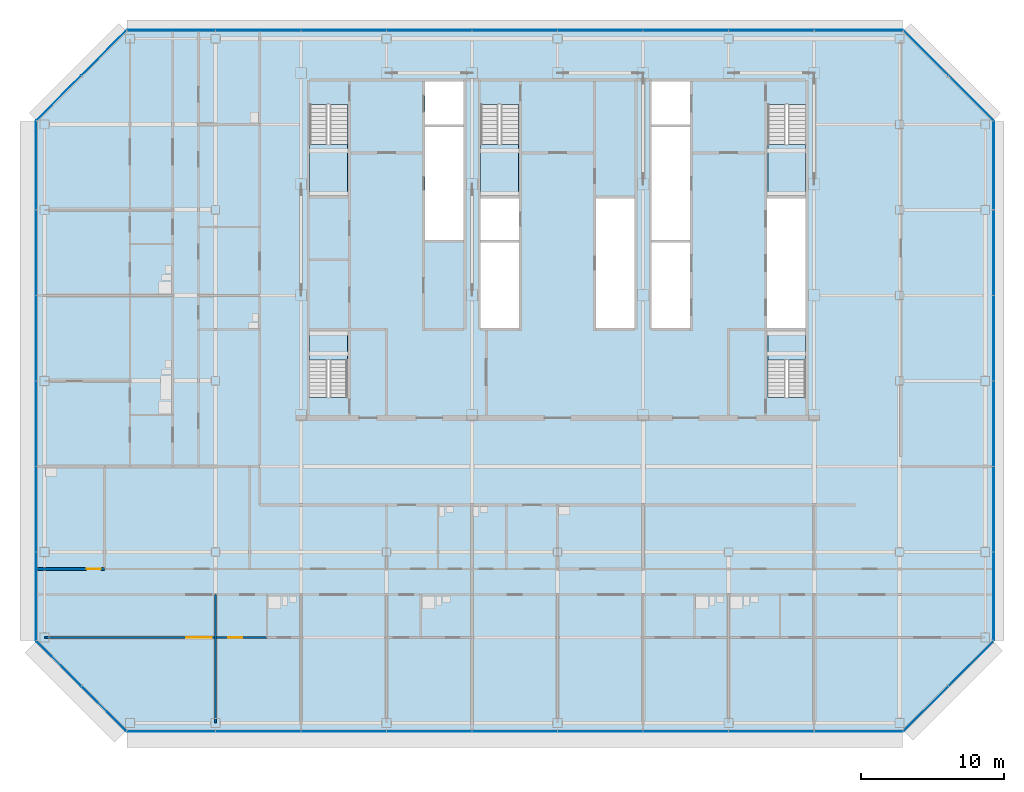
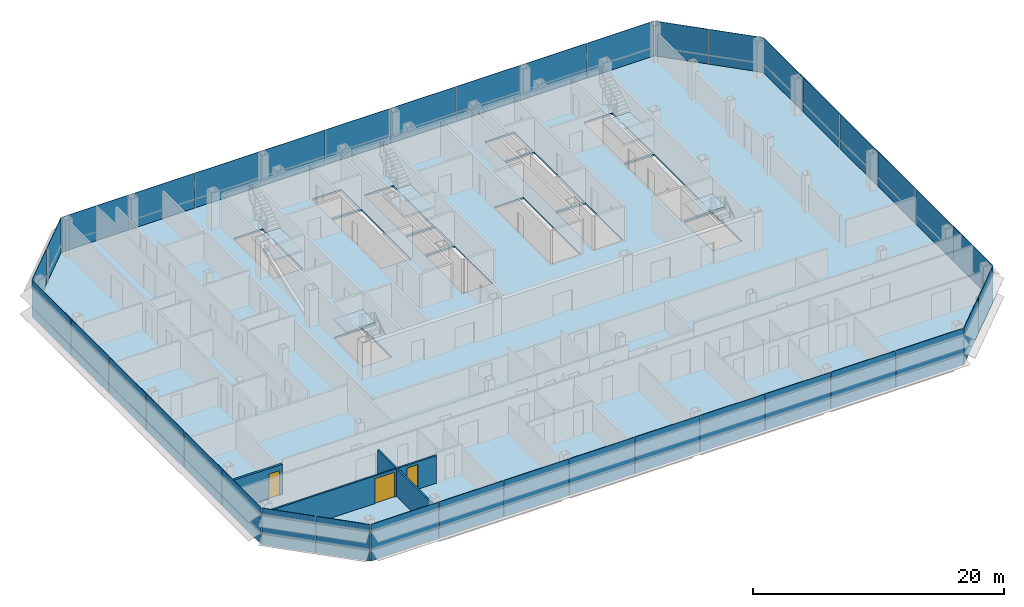
# One storey, part 19 of 27: 38 plates, 6 slabs, 3 doors, 3 walls, 3 openings, 13 elements without a shape of their own.
"""IFC4 building model written with IfcOpenShell, lengths in metres."""

from ifc_helpers import new_model, si_unit, direction, frame, frame_2d, origin, origin_2d, place, context, subcontext, project, spatial, polyline, rectangle, outline, extrude, material, layer, layer_set, type_object, element, fill, aggregate, save


model = new_model("IFC4")

# Units and contexts
model_context = context("Model", 3, precision=1e-05, world=origin(), true_north=direction((0.0, 1.0)))
body_context = subcontext(model_context, "Body", "Model", "MODEL_VIEW")
ifc_project = project(units=[si_unit("LENGTHUNIT", "METRE"), si_unit("AREAUNIT", "SQUARE_METRE"), si_unit("VOLUMEUNIT", "CUBIC_METRE"), si_unit("PLANEANGLEUNIT", "RADIAN"), si_unit("MASSUNIT", "GRAM", prefix="KILO")], contexts=[model_context])

# Site, building, storey
site_placement = place(None, origin())
site = spatial("IfcSite", under=ifc_project, at=site_placement, CompositionType="ELEMENT")
building_placement = place(site_placement, origin())
building = spatial("IfcBuilding", under=site, at=building_placement, Name="Sorahane Residences", CompositionType="ELEMENT")
storey_placement = place(building_placement, frame((0.0, 0.0, 206.39990234375)))
storey = spatial("IfcBuildingStorey", under=building, at=storey_placement, Name="L48", CompositionType="ELEMENT", Elevation=206.39990234375)

# Slab
ifc_material_1 = material(Name="Concrete C35", Category="concrete")
ifc_layer_1 = layer(ifc_material_1, 0.179931640625)
ifc_layer_set_1 = layer_set([ifc_layer_1], Name="Composite floor slab 180 mm Concrete C35")
slab_type_1 = type_object("IfcSlabType", Name="Composite floor slab 180 mm Concrete C35", PredefinedType="FLOOR", material=ifc_layer_set_1)
slab_1_placement = place(storey_placement, frame((0.0, 0.0, -0.179931640625)))
element("IfcSlab", 1, at=slab_1_placement, inside=storey, type_object=slab_type_1, Name="Slab L48", PredefinedType="FLOOR", context=body_context, shape_type="SweptSolid", body=[
    extrude(outline(polyline([(-6.24853515625, -0.60009765625), (-12.60009765625, 5.75146484375), (-12.60009765625, 42.24853515625), (-6.24853515625, 48.60009765625), (48.24853515625, 48.60009765625), (54.60009765625, 42.24853515625), (54.60009765625, 5.75146484375), (48.24853515625, -0.60009765625), (-6.24853515625, -0.60009765625)]), holes=[polyline([(18.60009765625, 27.699951171875), (21.300048828125, 27.699951171875), (21.300048828125, 33.699951171875), (18.60009765625, 33.699951171875), (18.60009765625, 27.699951171875)]), polyline([(38.699951171875, 27.699951171875), (41.39990234375, 27.699951171875), (41.39990234375, 36.800048828125), (38.699951171875, 36.800048828125), (38.699951171875, 27.699951171875)]), polyline([(30.60009765625, 27.699951171875), (33.300048828125, 27.699951171875), (33.300048828125, 33.699951171875), (30.60009765625, 33.699951171875), (30.60009765625, 27.699951171875)]), polyline([(30.60009765625, 42.0), (33.300048828125, 42.0), (33.300048828125, 45.0), (30.60009765625, 45.0), (30.60009765625, 42.0)]), polyline([(14.699951171875, 42.0), (17.39990234375, 42.0), (17.39990234375, 45.0), (14.699951171875, 45.0), (14.699951171875, 42.0)]), polyline([(6.60009765625, 43.39990234375), (6.60009765625, 37.0), (9.25, 37.0), (9.25, 43.39990234375), (6.60009765625, 43.39990234375)]), polyline([(38.75, 43.39990234375), (38.75, 37.0), (41.39990234375, 37.0), (41.39990234375, 43.39990234375), (38.75, 43.39990234375)]), polyline([(18.60009765625, 43.39990234375), (18.60009765625, 37.0), (21.25, 37.0), (21.25, 43.39990234375), (18.60009765625, 43.39990234375)]), polyline([(9.25, 22.85009765625), (9.25, 27.5), (6.60009765625, 27.5), (6.60009765625, 22.85009765625), (9.25, 22.85009765625)]), polyline([(41.39990234375, 22.85009765625), (41.39990234375, 27.5), (38.75, 27.5), (38.75, 22.85009765625), (41.39990234375, 22.85009765625)]), polyline([(14.699951171875, 33.89990234375), (17.39990234375, 33.89990234375), (17.39990234375, 41.800048828125), (14.699951171875, 41.800048828125), (14.699951171875, 33.89990234375)]), polyline([(30.60009765625, 33.89990234375), (33.300048828125, 33.89990234375), (33.300048828125, 41.800048828125), (30.60009765625, 41.800048828125), (30.60009765625, 33.89990234375)]), polyline([(18.60009765625, 33.89990234375), (21.300048828125, 33.89990234375), (21.300048828125, 36.800048828125), (18.60009765625, 36.800048828125), (18.60009765625, 33.89990234375)]), polyline([(26.699951171875, 27.699951171875), (29.39990234375, 27.699951171875), (29.39990234375, 36.800048828125), (26.699951171875, 36.800048828125), (26.699951171875, 27.699951171875)])]), origin(), (0.0, 0.0, 1.0), 0.179931640625),
])

# Curtain wall, plates
ifc_material_2 = material(Name="Dark low-e glass and black anodised aluminium", Category="aluminium")
curtain_wall_type_1 = type_object("IfcCurtainWallType", Name="Curtain wall CW-1 Typical unitised wall", PredefinedType="NOTDEFINED", material=ifc_material_2)
curtain_wall_1_placement = place(storey_placement, origin())
curtain_wall_1 = element("IfcCurtainWall", 2, at=curtain_wall_1_placement, inside=storey, type_object=curtain_wall_type_1, Name="CW-1 curtain wall L48 S1", PredefinedType="NOTDEFINED")
ifc_material_3 = material(Name="Dark low-e glass with black ceramic frit", Category="glass")
ifc_layer_2 = layer(ifc_material_3, 0.0400390625)
ifc_layer_set_2 = layer_set([ifc_layer_2], Name="Curtain wall glass panel dark low-e with black frit spandrel band")
plate_type = type_object("IfcPlateType", Name="Curtain wall glass panel dark low-e with black frit spandrel band", PredefinedType="CURTAIN_PANEL", material=ifc_layer_set_2)
plate_1_placement = place(storey_placement, frame((-3.11181640625, -0.60009765625, -0.179931640625), z_axis=(0.0, 0.0, 1.0), x_axis=(1.0, 0.0, 0.0)))
plate_1 = element("IfcPlate", 3, at=plate_1_placement, type_object=plate_type, Name="CW-1 glass panel L48 S1.1", PredefinedType="CURTAIN_PANEL", context=body_context, shape_type="SweptSolid", body=[
    extrude(rectangle(XDim=6.173583984375, YDim=0.0400390625, at=origin_2d()), origin(), (0.0, 0.0, 1.0), 3.56005859375),
])
plate_2_placement = place(storey_placement, frame((3.0, -0.60009765625, -0.179931640625), z_axis=(0.0, 0.0, 1.0), x_axis=(1.0, 0.0, 0.0)))
plate_2 = element("IfcPlate", 4, at=plate_2_placement, type_object=plate_type, Name="CW-1 glass panel L48 S1.2", PredefinedType="CURTAIN_PANEL", context=body_context, shape_type="SweptSolid", body=[
    extrude(rectangle(XDim=5.949951171875, YDim=0.0400390625, at=origin_2d()), origin(), (0.0, 0.0, 1.0), 3.56005859375),
])
plate_3_placement = place(storey_placement, frame((9.0, -0.60009765625, -0.179931640625), z_axis=(0.0, 0.0, 1.0), x_axis=(1.0, 0.0, 0.0)))
plate_3 = element("IfcPlate", 5, at=plate_3_placement, type_object=plate_type, Name="CW-1 glass panel L48 S1.3", PredefinedType="CURTAIN_PANEL", context=body_context, shape_type="SweptSolid", body=[
    extrude(rectangle(XDim=5.949951171875, YDim=0.0400390625, at=origin_2d()), origin(), (0.0, 0.0, 1.0), 3.56005859375),
])
plate_4_placement = place(storey_placement, frame((15.0, -0.60009765625, -0.179931640625), z_axis=(0.0, 0.0, 1.0), x_axis=(1.0, 0.0, 0.0)))
plate_4 = element("IfcPlate", 6, at=plate_4_placement, type_object=plate_type, Name="CW-1 glass panel L48 S1.4", PredefinedType="CURTAIN_PANEL", context=body_context, shape_type="SweptSolid", body=[
    extrude(rectangle(XDim=5.949951171875, YDim=0.0400390625, at=origin_2d()), origin(), (0.0, 0.0, 1.0), 3.56005859375),
])
plate_5_placement = place(storey_placement, frame((21.0, -0.60009765625, -0.179931640625), z_axis=(0.0, 0.0, 1.0), x_axis=(1.0, 0.0, 0.0)))
plate_5 = element("IfcPlate", 7, at=plate_5_placement, type_object=plate_type, Name="CW-1 glass panel L48 S1.5", PredefinedType="CURTAIN_PANEL", context=body_context, shape_type="SweptSolid", body=[
    extrude(rectangle(XDim=5.949951171875, YDim=0.0400390625, at=origin_2d()), origin(), (0.0, 0.0, 1.0), 3.56005859375),
])
plate_6_placement = place(storey_placement, frame((27.0, -0.60009765625, -0.179931640625), z_axis=(0.0, 0.0, 1.0), x_axis=(1.0, 0.0, 0.0)))
plate_6 = element("IfcPlate", 8, at=plate_6_placement, type_object=plate_type, Name="CW-1 glass panel L48 S1.6", PredefinedType="CURTAIN_PANEL", context=body_context, shape_type="SweptSolid", body=[
    extrude(rectangle(XDim=5.949951171875, YDim=0.0400390625, at=origin_2d()), origin(), (0.0, 0.0, 1.0), 3.56005859375),
])
plate_7_placement = place(storey_placement, frame((33.0, -0.60009765625, -0.179931640625), z_axis=(0.0, 0.0, 1.0), x_axis=(1.0, 0.0, 0.0)))
plate_7 = element("IfcPlate", 9, at=plate_7_placement, type_object=plate_type, Name="CW-1 glass panel L48 S1.7", PredefinedType="CURTAIN_PANEL", context=body_context, shape_type="SweptSolid", body=[
    extrude(rectangle(XDim=5.949951171875, YDim=0.0400390625, at=origin_2d()), origin(), (0.0, 0.0, 1.0), 3.56005859375),
])
plate_8_placement = place(storey_placement, frame((39.0, -0.60009765625, -0.179931640625), z_axis=(0.0, 0.0, 1.0), x_axis=(1.0, 0.0, 0.0)))
plate_8 = element("IfcPlate", 10, at=plate_8_placement, type_object=plate_type, Name="CW-1 glass panel L48 S1.8", PredefinedType="CURTAIN_PANEL", context=body_context, shape_type="SweptSolid", body=[
    extrude(rectangle(XDim=5.949951171875, YDim=0.0400390625, at=origin_2d()), origin(), (0.0, 0.0, 1.0), 3.56005859375),
])
plate_9_placement = place(storey_placement, frame((45.11181640625, -0.60009765625, -0.179931640625), z_axis=(0.0, 0.0, 1.0), x_axis=(1.0, 0.0, 0.0)))
plate_9 = element("IfcPlate", 11, at=plate_9_placement, type_object=plate_type, Name="CW-1 glass panel L48 S1.9", PredefinedType="CURTAIN_PANEL", context=body_context, shape_type="SweptSolid", body=[
    extrude(rectangle(XDim=6.173583984375, YDim=0.0400390625, at=origin_2d()), origin(), (0.0, 0.0, 1.0), 3.56005859375),
])
aggregate(curtain_wall_1, [plate_1, plate_2, plate_3, plate_4, plate_5, plate_6, plate_7, plate_8, plate_9])

ifc_material_4 = material(Name="Dark low-e glass and black anodised aluminium", Category="aluminium")
curtain_wall_type_2 = type_object("IfcCurtainWallType", Name="Curtain wall CW-2 Chamfer unitised wall", PredefinedType="NOTDEFINED", material=ifc_material_4)
curtain_wall_2_placement = place(storey_placement, origin())
curtain_wall_2 = element("IfcCurtainWall", 12, at=curtain_wall_2_placement, inside=storey, type_object=curtain_wall_type_2, Name="CW-2 curtain wall L48 SE1", PredefinedType="NOTDEFINED")
plate_10_placement = place(storey_placement, frame((49.84521484375, 0.996826171875, -0.179931640625), z_axis=(0.0, 0.0, 1.0), x_axis=(0.707106781187, 0.707106781187, 0.0)))
plate_10 = element("IfcPlate", 13, at=plate_10_placement, type_object=plate_type, Name="CW-2 glass panel L48 SE1.1", PredefinedType="CURTAIN_PANEL", context=body_context, shape_type="SweptSolid", body=[
    extrude(rectangle(XDim=4.416259765625, YDim=0.0400390625, at=origin_2d()), origin(), (0.0, 0.0, 1.0), 3.56005859375),
])
plate_11_placement = place(storey_placement, frame((53.003173828125, 4.15478515625, -0.179931640625), z_axis=(0.0, 0.0, 1.0), x_axis=(0.707106781187, 0.707106781187, 0.0)))
plate_11 = element("IfcPlate", 14, at=plate_11_placement, type_object=plate_type, Name="CW-2 glass panel L48 SE1.2", PredefinedType="CURTAIN_PANEL", context=body_context, shape_type="SweptSolid", body=[
    extrude(rectangle(XDim=4.416259765625, YDim=0.0400390625, at=origin_2d()), origin(), (0.0, 0.0, 1.0), 3.56005859375),
])
aggregate(curtain_wall_2, [plate_10, plate_11])

curtain_wall_3_placement = place(storey_placement, origin())
curtain_wall_3 = element("IfcCurtainWall", 15, at=curtain_wall_3_placement, inside=storey, type_object=curtain_wall_type_1, Name="CW-1 curtain wall L48 E1", PredefinedType="NOTDEFINED")
plate_12_placement = place(storey_placement, frame((54.60009765625, 8.88818359375, -0.179931640625), z_axis=(0.0, 0.0, 1.0), x_axis=(0.0, 1.0, 0.0)))
plate_12 = element("IfcPlate", 16, at=plate_12_placement, type_object=plate_type, Name="CW-1 glass panel L48 E1.1", PredefinedType="CURTAIN_PANEL", context=body_context, shape_type="SweptSolid", body=[
    extrude(rectangle(XDim=6.173583984375, YDim=0.0400390625, at=origin_2d()), origin(), (0.0, 0.0, 1.0), 3.56005859375),
])
plate_13_placement = place(storey_placement, frame((54.60009765625, 15.0, -0.179931640625), z_axis=(0.0, 0.0, 1.0), x_axis=(0.0, 1.0, 0.0)))
plate_13 = element("IfcPlate", 17, at=plate_13_placement, type_object=plate_type, Name="CW-1 glass panel L48 E1.2", PredefinedType="CURTAIN_PANEL", context=body_context, shape_type="SweptSolid", body=[
    extrude(rectangle(XDim=5.949951171875, YDim=0.0400390625, at=origin_2d()), origin(), (0.0, 0.0, 1.0), 3.56005859375),
])
plate_14_placement = place(storey_placement, frame((54.60009765625, 21.0, -0.179931640625), z_axis=(0.0, 0.0, 1.0), x_axis=(0.0, 1.0, 0.0)))
plate_14 = element("IfcPlate", 18, at=plate_14_placement, type_object=plate_type, Name="CW-1 glass panel L48 E1.3", PredefinedType="CURTAIN_PANEL", context=body_context, shape_type="SweptSolid", body=[
    extrude(rectangle(XDim=5.949951171875, YDim=0.0400390625, at=origin_2d()), origin(), (0.0, 0.0, 1.0), 3.56005859375),
])
plate_15_placement = place(storey_placement, frame((54.60009765625, 27.0, -0.179931640625), z_axis=(0.0, 0.0, 1.0), x_axis=(0.0, 1.0, 0.0)))
plate_15 = element("IfcPlate", 19, at=plate_15_placement, type_object=plate_type, Name="CW-1 glass panel L48 E1.4", PredefinedType="CURTAIN_PANEL", context=body_context, shape_type="SweptSolid", body=[
    extrude(rectangle(XDim=5.949951171875, YDim=0.0400390625, at=origin_2d()), origin(), (0.0, 0.0, 1.0), 3.56005859375),
])
plate_16_placement = place(storey_placement, frame((54.60009765625, 33.0, -0.179931640625), z_axis=(0.0, 0.0, 1.0), x_axis=(0.0, 1.0, 0.0)))
plate_16 = element("IfcPlate", 20, at=plate_16_placement, type_object=plate_type, Name="CW-1 glass panel L48 E1.5", PredefinedType="CURTAIN_PANEL", context=body_context, shape_type="SweptSolid", body=[
    extrude(rectangle(XDim=5.949951171875, YDim=0.0400390625, at=origin_2d()), origin(), (0.0, 0.0, 1.0), 3.56005859375),
])
plate_17_placement = place(storey_placement, frame((54.60009765625, 39.11181640625, -0.179931640625), z_axis=(0.0, 0.0, 1.0), x_axis=(0.0, 1.0, 0.0)))
plate_17 = element("IfcPlate", 21, at=plate_17_placement, type_object=plate_type, Name="CW-1 glass panel L48 E1.6", PredefinedType="CURTAIN_PANEL", context=body_context, shape_type="SweptSolid", body=[
    extrude(rectangle(XDim=6.173583984375, YDim=0.0400390625, at=origin_2d()), origin(), (0.0, 0.0, 1.0), 3.56005859375),
])
aggregate(curtain_wall_3, [plate_12, plate_13, plate_14, plate_15, plate_16, plate_17])

curtain_wall_4_placement = place(storey_placement, origin())
curtain_wall_4 = element("IfcCurtainWall", 22, at=curtain_wall_4_placement, inside=storey, type_object=curtain_wall_type_2, Name="CW-2 curtain wall L48 NE1", PredefinedType="NOTDEFINED")
plate_18_placement = place(storey_placement, frame((53.003173828125, 43.84521484375, -0.179931640625), z_axis=(0.0, 0.0, 1.0), x_axis=(-0.707106781187, 0.707106781187, 0.0)))
plate_18 = element("IfcPlate", 23, at=plate_18_placement, type_object=plate_type, Name="CW-2 glass panel L48 NE1.1", PredefinedType="CURTAIN_PANEL", context=body_context, shape_type="SweptSolid", body=[
    extrude(rectangle(XDim=4.416259765625, YDim=0.0400390625, at=origin_2d()), origin(), (0.0, 0.0, 1.0), 3.56005859375),
])
plate_19_placement = place(storey_placement, frame((49.84521484375, 47.003173828125, -0.179931640625), z_axis=(0.0, 0.0, 1.0), x_axis=(-0.707106781187, 0.707106781187, 0.0)))
plate_19 = element("IfcPlate", 24, at=plate_19_placement, type_object=plate_type, Name="CW-2 glass panel L48 NE1.2", PredefinedType="CURTAIN_PANEL", context=body_context, shape_type="SweptSolid", body=[
    extrude(rectangle(XDim=4.416259765625, YDim=0.0400390625, at=origin_2d()), origin(), (0.0, 0.0, 1.0), 3.56005859375),
])
aggregate(curtain_wall_4, [plate_18, plate_19])

curtain_wall_5_placement = place(storey_placement, origin())
curtain_wall_5 = element("IfcCurtainWall", 25, at=curtain_wall_5_placement, inside=storey, type_object=curtain_wall_type_1, Name="CW-1 curtain wall L48 N1", PredefinedType="NOTDEFINED")
plate_20_placement = place(storey_placement, frame((45.11181640625, 48.60009765625, -0.179931640625), z_axis=(0.0, 0.0, 1.0), x_axis=(-1.0, 0.0, 0.0)))
plate_20 = element("IfcPlate", 26, at=plate_20_placement, type_object=plate_type, Name="CW-1 glass panel L48 N1.1", PredefinedType="CURTAIN_PANEL", context=body_context, shape_type="SweptSolid", body=[
    extrude(rectangle(XDim=6.173583984375, YDim=0.0400390625, at=origin_2d()), origin(), (0.0, 0.0, 1.0), 3.56005859375),
])
plate_21_placement = place(storey_placement, frame((39.0, 48.60009765625, -0.179931640625), z_axis=(0.0, 0.0, 1.0), x_axis=(-1.0, 0.0, 0.0)))
plate_21 = element("IfcPlate", 27, at=plate_21_placement, type_object=plate_type, Name="CW-1 glass panel L48 N1.2", PredefinedType="CURTAIN_PANEL", context=body_context, shape_type="SweptSolid", body=[
    extrude(rectangle(XDim=5.949951171875, YDim=0.0400390625, at=origin_2d()), origin(), (0.0, 0.0, 1.0), 3.56005859375),
])
plate_22_placement = place(storey_placement, frame((33.0, 48.60009765625, -0.179931640625), z_axis=(0.0, 0.0, 1.0), x_axis=(-1.0, 0.0, 0.0)))
plate_22 = element("IfcPlate", 28, at=plate_22_placement, type_object=plate_type, Name="CW-1 glass panel L48 N1.3", PredefinedType="CURTAIN_PANEL", context=body_context, shape_type="SweptSolid", body=[
    extrude(rectangle(XDim=5.949951171875, YDim=0.0400390625, at=origin_2d()), origin(), (0.0, 0.0, 1.0), 3.56005859375),
])
plate_23_placement = place(storey_placement, frame((27.0, 48.60009765625, -0.179931640625), z_axis=(0.0, 0.0, 1.0), x_axis=(-1.0, 0.0, 0.0)))
plate_23 = element("IfcPlate", 29, at=plate_23_placement, type_object=plate_type, Name="CW-1 glass panel L48 N1.4", PredefinedType="CURTAIN_PANEL", context=body_context, shape_type="SweptSolid", body=[
    extrude(rectangle(XDim=5.949951171875, YDim=0.0400390625, at=origin_2d()), origin(), (0.0, 0.0, 1.0), 3.56005859375),
])
plate_24_placement = place(storey_placement, frame((21.0, 48.60009765625, -0.179931640625), z_axis=(0.0, 0.0, 1.0), x_axis=(-1.0, 0.0, 0.0)))
plate_24 = element("IfcPlate", 30, at=plate_24_placement, type_object=plate_type, Name="CW-1 glass panel L48 N1.5", PredefinedType="CURTAIN_PANEL", context=body_context, shape_type="SweptSolid", body=[
    extrude(rectangle(XDim=5.949951171875, YDim=0.0400390625, at=origin_2d()), origin(), (0.0, 0.0, 1.0), 3.56005859375),
])
plate_25_placement = place(storey_placement, frame((15.0, 48.60009765625, -0.179931640625), z_axis=(0.0, 0.0, 1.0), x_axis=(-1.0, 0.0, 0.0)))
plate_25 = element("IfcPlate", 31, at=plate_25_placement, type_object=plate_type, Name="CW-1 glass panel L48 N1.6", PredefinedType="CURTAIN_PANEL", context=body_context, shape_type="SweptSolid", body=[
    extrude(rectangle(XDim=5.949951171875, YDim=0.0400390625, at=origin_2d()), origin(), (0.0, 0.0, 1.0), 3.56005859375),
])
plate_26_placement = place(storey_placement, frame((9.0, 48.60009765625, -0.179931640625), z_axis=(0.0, 0.0, 1.0), x_axis=(-1.0, 0.0, 0.0)))
plate_26 = element("IfcPlate", 32, at=plate_26_placement, type_object=plate_type, Name="CW-1 glass panel L48 N1.7", PredefinedType="CURTAIN_PANEL", context=body_context, shape_type="SweptSolid", body=[
    extrude(rectangle(XDim=5.949951171875, YDim=0.0400390625, at=origin_2d()), origin(), (0.0, 0.0, 1.0), 3.56005859375),
])
plate_27_placement = place(storey_placement, frame((3.0, 48.60009765625, -0.179931640625), z_axis=(0.0, 0.0, 1.0), x_axis=(-1.0, 0.0, 0.0)))
plate_27 = element("IfcPlate", 33, at=plate_27_placement, type_object=plate_type, Name="CW-1 glass panel L48 N1.8", PredefinedType="CURTAIN_PANEL", context=body_context, shape_type="SweptSolid", body=[
    extrude(rectangle(XDim=5.949951171875, YDim=0.0400390625, at=origin_2d()), origin(), (0.0, 0.0, 1.0), 3.56005859375),
])
plate_28_placement = place(storey_placement, frame((-3.11181640625, 48.60009765625, -0.179931640625), z_axis=(0.0, 0.0, 1.0), x_axis=(-1.0, 0.0, 0.0)))
plate_28 = element("IfcPlate", 34, at=plate_28_placement, type_object=plate_type, Name="CW-1 glass panel L48 N1.9", PredefinedType="CURTAIN_PANEL", context=body_context, shape_type="SweptSolid", body=[
    extrude(rectangle(XDim=6.173583984375, YDim=0.0400390625, at=origin_2d()), origin(), (0.0, 0.0, 1.0), 3.56005859375),
])
aggregate(curtain_wall_5, [plate_20, plate_21, plate_22, plate_23, plate_24, plate_25, plate_26, plate_27, plate_28])

curtain_wall_6_placement = place(storey_placement, origin())
curtain_wall_6 = element("IfcCurtainWall", 35, at=curtain_wall_6_placement, inside=storey, type_object=curtain_wall_type_2, Name="CW-2 curtain wall L48 NW1", PredefinedType="NOTDEFINED")
plate_29_placement = place(storey_placement, frame((-7.84521484375, 47.003173828125, -0.179931640625), z_axis=(0.0, 0.0, 1.0), x_axis=(-0.707106781187, -0.707106781187, 0.0)))
plate_29 = element("IfcPlate", 36, at=plate_29_placement, type_object=plate_type, Name="CW-2 glass panel L48 NW1.1", PredefinedType="CURTAIN_PANEL", context=body_context, shape_type="SweptSolid", body=[
    extrude(rectangle(XDim=4.416259765625, YDim=0.0400390625, at=origin_2d()), origin(), (0.0, 0.0, 1.0), 3.56005859375),
])
plate_30_placement = place(storey_placement, frame((-11.003173828125, 43.84521484375, -0.179931640625), z_axis=(0.0, 0.0, 1.0), x_axis=(-0.707106781187, -0.707106781187, 0.0)))
plate_30 = element("IfcPlate", 37, at=plate_30_placement, type_object=plate_type, Name="CW-2 glass panel L48 NW1.2", PredefinedType="CURTAIN_PANEL", context=body_context, shape_type="SweptSolid", body=[
    extrude(rectangle(XDim=4.416259765625, YDim=0.0400390625, at=origin_2d()), origin(), (0.0, 0.0, 1.0), 3.56005859375),
])
aggregate(curtain_wall_6, [plate_29, plate_30])

curtain_wall_7_placement = place(storey_placement, origin())
curtain_wall_7 = element("IfcCurtainWall", 38, at=curtain_wall_7_placement, inside=storey, type_object=curtain_wall_type_1, Name="CW-1 curtain wall L48 W1", PredefinedType="NOTDEFINED")
plate_31_placement = place(storey_placement, frame((-12.60009765625, 39.11181640625, -0.179931640625), z_axis=(0.0, 0.0, 1.0), x_axis=(0.0, -1.0, 0.0)))
plate_31 = element("IfcPlate", 39, at=plate_31_placement, type_object=plate_type, Name="CW-1 glass panel L48 W1.1", PredefinedType="CURTAIN_PANEL", context=body_context, shape_type="SweptSolid", body=[
    extrude(rectangle(XDim=6.173583984375, YDim=0.0400390625, at=origin_2d()), origin(), (0.0, 0.0, 1.0), 3.56005859375),
])
plate_32_placement = place(storey_placement, frame((-12.60009765625, 33.0, -0.179931640625), z_axis=(0.0, 0.0, 1.0), x_axis=(0.0, -1.0, 0.0)))
plate_32 = element("IfcPlate", 40, at=plate_32_placement, type_object=plate_type, Name="CW-1 glass panel L48 W1.2", PredefinedType="CURTAIN_PANEL", context=body_context, shape_type="SweptSolid", body=[
    extrude(rectangle(XDim=5.949951171875, YDim=0.0400390625, at=origin_2d()), origin(), (0.0, 0.0, 1.0), 3.56005859375),
])
plate_33_placement = place(storey_placement, frame((-12.60009765625, 27.0, -0.179931640625), z_axis=(0.0, 0.0, 1.0), x_axis=(0.0, -1.0, 0.0)))
plate_33 = element("IfcPlate", 41, at=plate_33_placement, type_object=plate_type, Name="CW-1 glass panel L48 W1.3", PredefinedType="CURTAIN_PANEL", context=body_context, shape_type="SweptSolid", body=[
    extrude(rectangle(XDim=5.949951171875, YDim=0.0400390625, at=origin_2d()), origin(), (0.0, 0.0, 1.0), 3.56005859375),
])
plate_34_placement = place(storey_placement, frame((-12.60009765625, 21.0, -0.179931640625), z_axis=(0.0, 0.0, 1.0), x_axis=(0.0, -1.0, 0.0)))
plate_34 = element("IfcPlate", 42, at=plate_34_placement, type_object=plate_type, Name="CW-1 glass panel L48 W1.4", PredefinedType="CURTAIN_PANEL", context=body_context, shape_type="SweptSolid", body=[
    extrude(rectangle(XDim=5.949951171875, YDim=0.0400390625, at=origin_2d()), origin(), (0.0, 0.0, 1.0), 3.56005859375),
])
plate_35_placement = place(storey_placement, frame((-12.60009765625, 15.0, -0.179931640625), z_axis=(0.0, 0.0, 1.0), x_axis=(0.0, -1.0, 0.0)))
plate_35 = element("IfcPlate", 43, at=plate_35_placement, type_object=plate_type, Name="CW-1 glass panel L48 W1.5", PredefinedType="CURTAIN_PANEL", context=body_context, shape_type="SweptSolid", body=[
    extrude(rectangle(XDim=5.949951171875, YDim=0.0400390625, at=origin_2d()), origin(), (0.0, 0.0, 1.0), 3.56005859375),
])
plate_36_placement = place(storey_placement, frame((-12.60009765625, 8.88818359375, -0.179931640625), z_axis=(0.0, 0.0, 1.0), x_axis=(0.0, -1.0, 0.0)))
plate_36 = element("IfcPlate", 44, at=plate_36_placement, type_object=plate_type, Name="CW-1 glass panel L48 W1.6", PredefinedType="CURTAIN_PANEL", context=body_context, shape_type="SweptSolid", body=[
    extrude(rectangle(XDim=6.173583984375, YDim=0.0400390625, at=origin_2d()), origin(), (0.0, 0.0, 1.0), 3.56005859375),
])
aggregate(curtain_wall_7, [plate_31, plate_32, plate_33, plate_34, plate_35, plate_36])

curtain_wall_8_placement = place(storey_placement, origin())
curtain_wall_8 = element("IfcCurtainWall", 45, at=curtain_wall_8_placement, inside=storey, type_object=curtain_wall_type_2, Name="CW-2 curtain wall L48 SW1", PredefinedType="NOTDEFINED")
plate_37_placement = place(storey_placement, frame((-11.003173828125, 4.15478515625, -0.179931640625), z_axis=(0.0, 0.0, 1.0), x_axis=(0.707106781187, -0.707106781187, 0.0)))
plate_37 = element("IfcPlate", 46, at=plate_37_placement, type_object=plate_type, Name="CW-2 glass panel L48 SW1.1", PredefinedType="CURTAIN_PANEL", context=body_context, shape_type="SweptSolid", body=[
    extrude(rectangle(XDim=4.416259765625, YDim=0.0400390625, at=origin_2d()), origin(), (0.0, 0.0, 1.0), 3.56005859375),
])
plate_38_placement = place(storey_placement, frame((-7.84521484375, 0.996826171875, -0.179931640625), z_axis=(0.0, 0.0, 1.0), x_axis=(0.707106781187, -0.707106781187, 0.0)))
plate_38 = element("IfcPlate", 47, at=plate_38_placement, type_object=plate_type, Name="CW-2 glass panel L48 SW1.2", PredefinedType="CURTAIN_PANEL", context=body_context, shape_type="SweptSolid", body=[
    extrude(rectangle(XDim=4.416259765625, YDim=0.0400390625, at=origin_2d()), origin(), (0.0, 0.0, 1.0), 3.56005859375),
])
aggregate(curtain_wall_8, [plate_37, plate_38])

# Stair, slab
ifc_material_5 = material(Name="Concrete C40", Category="concrete")
stair_type = type_object("IfcStairType", Name="Dog-leg stair 1250 Concrete C40", PredefinedType="HALF_TURN_STAIR", material=ifc_material_5)
stair_1_placement = place(storey_placement, origin())
stair_1 = element("IfcStair", 48, at=stair_1_placement, inside=storey, type_object=stair_type, Name="L48 Stair S1", PredefinedType="HALF_TURN_STAIR")
ifc_material_6 = material(Name="Concrete C40", Category="concrete")
ifc_layer_3 = layer(ifc_material_6, 0.199951171875)
ifc_layer_set_3 = layer_set([ifc_layer_3], Name="Stair landing 200 Concrete C40")
slab_type_2 = type_object("IfcSlabType", Name="Stair landing 200 Concrete C40", PredefinedType="LANDING", material=ifc_layer_set_3)
slab_2_placement = place(storey_placement, frame((0.0, 0.0, 1.60009765625)))
slab_2 = element("IfcSlab", 49, at=slab_2_placement, type_object=slab_type_2, Name="S1 landing 1", PredefinedType="LANDING", context=body_context, shape_type="SweptSolid", body=[
    extrude(outline(polyline([(6.60009765625, 40.60009765625), (6.60009765625, 37.0), (9.25, 37.0), (9.25, 40.60009765625), (6.60009765625, 40.60009765625)])), origin(), (0.0, 0.0, 1.0), 0.199951171875),
])
aggregate(stair_1, [slab_2])

stair_2_placement = place(storey_placement, origin())
stair_2 = element("IfcStair", 50, at=stair_2_placement, inside=storey, type_object=stair_type, Name="L48 Stair S2", PredefinedType="HALF_TURN_STAIR")
slab_3_placement = place(storey_placement, frame((0.0, 0.0, 1.60009765625)))
slab_3 = element("IfcSlab", 51, at=slab_3_placement, type_object=slab_type_2, Name="S2 landing 1", PredefinedType="LANDING", context=body_context, shape_type="SweptSolid", body=[
    extrude(outline(polyline([(38.75, 40.60009765625), (38.75, 37.0), (41.39990234375, 37.0), (41.39990234375, 40.60009765625), (38.75, 40.60009765625)])), origin(), (0.0, 0.0, 1.0), 0.199951171875),
])
aggregate(stair_2, [slab_3])

stair_3_placement = place(storey_placement, origin())
stair_3 = element("IfcStair", 52, at=stair_3_placement, inside=storey, type_object=stair_type, Name="L48 Stair S3", PredefinedType="HALF_TURN_STAIR")
slab_4_placement = place(storey_placement, frame((0.0, 0.0, 1.60009765625)))
slab_4 = element("IfcSlab", 53, at=slab_4_placement, type_object=slab_type_2, Name="S3 landing 1", PredefinedType="LANDING", context=body_context, shape_type="SweptSolid", body=[
    extrude(outline(polyline([(18.60009765625, 40.60009765625), (18.60009765625, 37.0), (21.25, 37.0), (21.25, 40.60009765625), (18.60009765625, 40.60009765625)])), origin(), (0.0, 0.0, 1.0), 0.199951171875),
])
aggregate(stair_3, [slab_4])

stair_4_placement = place(storey_placement, origin())
stair_4 = element("IfcStair", 54, at=stair_4_placement, inside=storey, type_object=stair_type, Name="L48 Stair S4", PredefinedType="HALF_TURN_STAIR")
slab_5_placement = place(storey_placement, frame((0.0, 0.0, 1.60009765625)))
slab_5 = element("IfcSlab", 55, at=slab_5_placement, type_object=slab_type_2, Name="S4 landing 1", PredefinedType="LANDING", context=body_context, shape_type="SweptSolid", body=[
    extrude(outline(polyline([(9.25, 25.449951171875), (9.25, 27.5), (6.60009765625, 27.5), (6.60009765625, 25.449951171875), (9.25, 25.449951171875)])), origin(), (0.0, 0.0, 1.0), 0.199951171875),
])
aggregate(stair_4, [slab_5])

stair_5_placement = place(storey_placement, origin())
stair_5 = element("IfcStair", 56, at=stair_5_placement, inside=storey, type_object=stair_type, Name="L48 Stair S5", PredefinedType="HALF_TURN_STAIR")
slab_6_placement = place(storey_placement, frame((0.0, 0.0, 1.60009765625)))
slab_6 = element("IfcSlab", 57, at=slab_6_placement, type_object=slab_type_2, Name="S5 landing 1", PredefinedType="LANDING", context=body_context, shape_type="SweptSolid", body=[
    extrude(outline(polyline([(41.39990234375, 25.449951171875), (41.39990234375, 27.5), (38.75, 27.5), (38.75, 25.449951171875), (41.39990234375, 25.449951171875)])), origin(), (0.0, 0.0, 1.0), 0.199951171875),
])
aggregate(stair_5, [slab_6])

# Wall, opening, door
ifc_material_7 = material(Name="Concrete blockwork C20 wall", Category="masonry")
ifc_layer_4 = layer(ifc_material_7, 0.199951171875)
ifc_layer_set_4 = layer_set([ifc_layer_4], Name="Kitchen wall 200 EI 180")
wall_type_1 = type_object("IfcWallType", Name="Kitchen wall 200 EI 180", PredefinedType="SOLIDWALL", material=ifc_layer_set_4)
wall_1_placement = place(storey_placement, frame((-12.60009765625, 10.800048828125, 0.0), z_axis=(0.0, 0.0, 1.0), x_axis=(1.0, 0.0, 0.0)))
wall_1 = element("IfcWall", 58, at=wall_1_placement, inside=storey, type_object=wall_type_1, Name="L48 kitchen wall", PredefinedType="SOLIDWALL", context=body_context, shape_type="SweptSolid", body=[
    extrude(rectangle(XDim=4.800048828125, YDim=0.199951171875, at=frame_2d((2.39990234375, 0.0))), origin(), (0.0, 0.0, 1.0), 2.93017578125),
])
opening_1_placement = place(wall_1_placement, frame((3.550048828125, 0.0, 0.0)))
opening_1 = element("IfcOpeningElement", 59, at=opening_1_placement, cuts=wall_1, Name="Opening L48-02", PredefinedType="OPENING", context=body_context, shape_type="SweptSolid", body=[
    extrude(rectangle(XDim=1.0, YDim=2.39990234375, at=frame_2d((0.5, 1.199951171875))), frame((0.0, 0.10986328125, 0.0), z_axis=(0.0, -1.0, 0.0), x_axis=(1.0, 0.0, 0.0)), (0.0, 0.0, 1.0), 0.219970703125),
])
ifc_material_8 = material(Name="Steel", Category="steel")
door_type_1 = type_object("IfcDoorType", Name="Kitchen door 1000x2400 FD120", OperationType="NOTDEFINED", PredefinedType="DOOR", material=ifc_material_8)
door_1_placement = place(opening_1_placement, origin())
door_1 = element("IfcDoor", 60, at=door_1_placement, inside=storey, type_object=door_type_1, Name="Kitchen door L48-02", OperationType="SINGLE_SWING_LEFT", OverallHeight=2.39990234375, OverallWidth=1.0, PredefinedType="DOOR", context=body_context, shape_type="SweptSolid", body=[
    extrude(rectangle(XDim=1.0, YDim=2.39990234375, at=frame_2d((0.5, 1.199951171875))), frame((0.0, 0.02490234375, 0.0), z_axis=(0.0, -1.0, 0.0), x_axis=(1.0, 0.0, 0.0)), (0.0, 0.0, 1.0), 0.050048828125),
])
fill(opening_1, door_1)

# Wall
ifc_material_9 = material(Name="Gypsum board partition on steel studs", Category="steel")
ifc_layer_5 = layer(ifc_material_9, 0.14990234375)
ifc_layer_set_5 = layer_set([ifc_layer_5], Name="Partition 150 EI 90")
wall_type_2 = type_object("IfcWallType", Name="Partition 150 EI 90", PredefinedType="PARTITIONING", material=ifc_layer_set_5)
wall_2_placement = place(storey_placement, frame((0.0, 0.0, 0.0), z_axis=(0.0, 0.0, 1.0), x_axis=(0.0, 1.0, 0.0)))
element("IfcWall", 61, at=wall_2_placement, inside=storey, type_object=wall_type_2, Name="L48 partition", PredefinedType="PARTITIONING", context=body_context, shape_type="SweptSolid", body=[
    extrude(rectangle(XDim=9.0, YDim=0.14990234375, at=frame_2d((4.5, 0.0))), origin(), (0.0, 0.0, 1.0), 2.68017578125),
])

# Wall, openings, doors
wall_3_placement = place(storey_placement, frame((-12.0, 6.0, 0.0), z_axis=(0.0, 0.0, 1.0), x_axis=(1.0, 0.0, 0.0)))
wall_3 = element("IfcWall", 62, at=wall_3_placement, inside=storey, type_object=wall_type_2, Name="L48 partition", PredefinedType="PARTITIONING", context=body_context, shape_type="SweptSolid", body=[
    extrude(rectangle(XDim=15.60009765625, YDim=0.14990234375, at=frame_2d((7.800048828125, 0.0))), origin(), (0.0, 0.0, 1.0), 2.68017578125),
])
opening_2_placement = place(wall_3_placement, frame((9.949951171875, 0.0, 0.0)))
opening_2 = element("IfcOpeningElement", 63, at=opening_2_placement, cuts=wall_3, Name="Opening L48-10", PredefinedType="OPENING", context=body_context, shape_type="SweptSolid", body=[
    extrude(rectangle(XDim=1.800048828125, YDim=2.39990234375, at=frame_2d((0.89990234375, 1.199951171875))), frame((0.0, 0.0849609375, 0.0), z_axis=(0.0, -1.0, 0.0), x_axis=(1.0, 0.0, 0.0)), (0.0, 0.0, 1.0), 0.169921875),
])
opening_3_placement = place(wall_3_placement, frame((12.8798828125, 0.0, 0.0)))
opening_3 = element("IfcOpeningElement", 64, at=opening_3_placement, cuts=wall_3, Name="Opening L48-11", PredefinedType="OPENING", context=body_context, shape_type="SweptSolid", body=[
    extrude(rectangle(XDim=1.0, YDim=2.39990234375, at=frame_2d((0.5, 1.199951171875))), frame((0.0, 0.0849609375, 0.0), z_axis=(0.0, -1.0, 0.0), x_axis=(1.0, 0.0, 0.0)), (0.0, 0.0, 1.0), 0.169921875),
])
ifc_material_10 = material(Name="Timber veneered fire door", Category="wood")
door_type_2 = type_object("IfcDoorType", Name="Double door 1800x2400 FD30", OperationType="NOTDEFINED", PredefinedType="DOOR", material=ifc_material_10)
door_2_placement = place(opening_2_placement, frame((1.800048828125, 0.0, 0.0), z_axis=(0.0, 0.0, 1.0), x_axis=(-1.0, 0.0, 0.0)))
door_2 = element("IfcDoor", 65, at=door_2_placement, inside=storey, type_object=door_type_2, Name="Double door L48-10", OperationType="SINGLE_SWING_LEFT", OverallHeight=2.39990234375, OverallWidth=1.800048828125, PredefinedType="DOOR", context=body_context, shape_type="SweptSolid", body=[
    extrude(rectangle(XDim=1.800048828125, YDim=2.39990234375, at=frame_2d((0.89990234375, 1.199951171875))), frame((0.0, 0.02490234375, 0.0), z_axis=(0.0, -1.0, 0.0), x_axis=(1.0, 0.0, 0.0)), (0.0, 0.0, 1.0), 0.050048828125),
])
fill(opening_2, door_2)
ifc_material_11 = material(Name="Timber veneered fire door", Category="wood")
door_type_3 = type_object("IfcDoorType", Name="Room door 1000x2400 FD30", OperationType="NOTDEFINED", PredefinedType="DOOR", material=ifc_material_11)
door_3_placement = place(opening_3_placement, frame((1.0, 0.0, 0.0), z_axis=(0.0, 0.0, 1.0), x_axis=(-1.0, 0.0, 0.0)))
door_3 = element("IfcDoor", 66, at=door_3_placement, inside=storey, type_object=door_type_3, Name="Room door L48-11", OperationType="SINGLE_SWING_LEFT", OverallHeight=2.39990234375, OverallWidth=1.0, PredefinedType="DOOR", context=body_context, shape_type="SweptSolid", body=[
    extrude(rectangle(XDim=1.0, YDim=2.39990234375, at=frame_2d((0.5, 1.199951171875))), frame((0.0, 0.02490234375, 0.0), z_axis=(0.0, -1.0, 0.0), x_axis=(1.0, 0.0, 0.0)), (0.0, 0.0, 1.0), 0.050048828125),
])
fill(opening_3, door_3)

save(model, "model.ifc")
